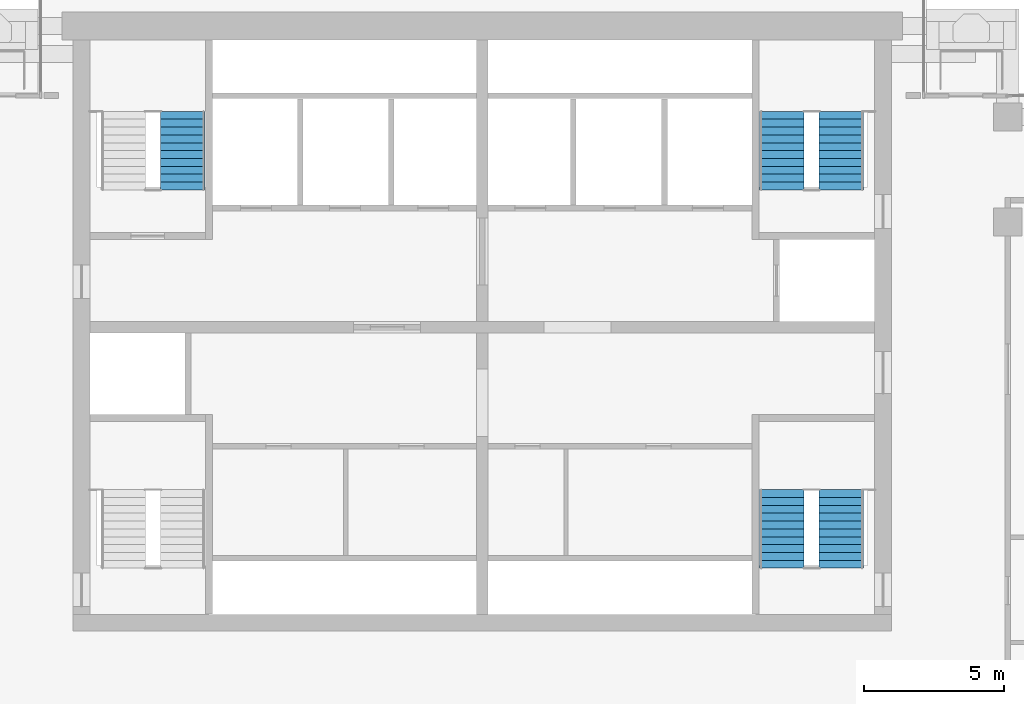
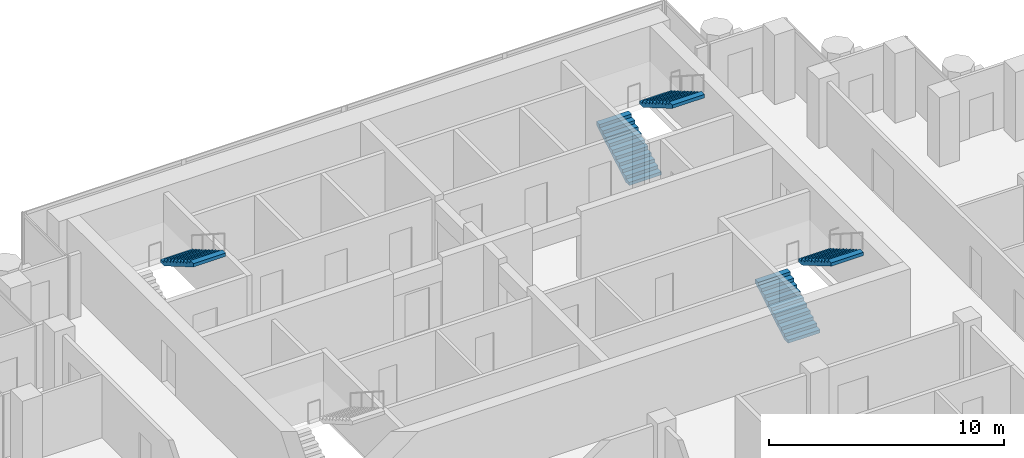
# One storey, part 15 of 19: 5 stair flights, 3 elements without a shape of their own.
"""IFC4 building model written with IfcOpenShell, lengths in metres."""

from ifc_helpers import new_model, si_unit, direction, frame, origin, place, context, subcontext, project, spatial, polyline, outline, extrude, material, type_object, element, aggregate, save


model = new_model("IFC4")

# Units and contexts
model_context = context("Model", 3, precision=1e-05, world=origin(), true_north=direction((0.0, 1.0)))
body_context = subcontext(model_context, "Body", "Model", "MODEL_VIEW")
ifc_project = project(units=[si_unit("LENGTHUNIT", "METRE"), si_unit("AREAUNIT", "SQUARE_METRE"), si_unit("VOLUMEUNIT", "CUBIC_METRE"), si_unit("PLANEANGLEUNIT", "RADIAN"), si_unit("MASSUNIT", "GRAM", prefix="KILO")], contexts=[model_context])

# Site, building, storey
site_placement = place(None, origin())
site = spatial("IfcSite", under=ifc_project, at=site_placement, CompositionType="ELEMENT")
building_placement = place(site_placement, origin())
building = spatial("IfcBuilding", under=site, at=building_placement, Name="Pilkhan Gate Tower", CompositionType="ELEMENT")
storey_placement = place(building_placement, frame((0.0, 0.0, 217.5)))
storey = spatial("IfcBuildingStorey", under=building, at=storey_placement, Name="L56", CompositionType="ELEMENT", Elevation=217.5)

# Stair, stair flights
ifc_material = material(Name="Concrete C40/50 precast", Category="concrete")
stair_type_1 = type_object("IfcStairType", Name="Stair ST1 164x280", PredefinedType="HALF_TURN_STAIR", material=ifc_material)
stair_1_placement = place(storey_placement, origin())
stair_1 = element("IfcStair", 1, at=stair_1_placement, inside=storey, type_object=stair_type_1, Name="Stair ST1 L56", PredefinedType="HALF_TURN_STAIR")
stair_flight_type_1 = type_object("IfcStairFlightType", Name="Stair flight ST1 164x280x11", PredefinedType="STRAIGHT", material=ifc_material)
stair_flight_1_placement = place(storey_placement, frame((85.68994140625, 73.89990234375, 0.0), z_axis=(0.0, 0.0, 1.0), x_axis=(0.0, 1.0, 0.0)))
stair_flight_1 = element("IfcStairFlight", 2, at=stair_flight_1_placement, type_object=stair_flight_type_1, Name="ST1 flight 1", NumberOfRisers=11, NumberOfTreads=10, PredefinedType="STRAIGHT", RiserHeight=0.163636364, TreadLength=0.28, context=body_context, shape_type="SweptSolid", body=[
    extrude(outline(polyline([(0.0, 0.0), (0.0, 0.16357421875), (0.280029296875, 0.16357421875), (0.280029296875, 0.327392578125), (0.56005859375, 0.327392578125), (0.56005859375, 0.490966796875), (0.840087890625, 0.490966796875), (0.840087890625, 0.654541015625), (1.1201171875, 0.654541015625), (1.1201171875, 0.818115234375), (1.39990234375, 0.818115234375), (1.39990234375, 0.98193359375), (1.679931640625, 0.98193359375), (1.679931640625, 1.1455078125), (1.9599609375, 1.1455078125), (1.9599609375, 1.30908203125), (2.239990234375, 1.30908203125), (2.239990234375, 1.47265625), (2.52001953125, 1.47265625), (2.52001953125, 1.636474609375), (2.800048828125, 1.636474609375), (2.800048828125, 1.800048828125), (2.800048828125, 1.462646484375), (0.297119140625, 0.0), (0.0, 0.0)])), frame((0.0, 0.7900390625, 0.0), z_axis=(0.0, -1.0, 0.0), x_axis=(1.0, 0.0, 0.0)), (0.0, 0.0, 1.0), 1.580078125),
])
stair_flight_2_placement = place(storey_placement, frame((87.81005859375, 76.699951171875, 1.800048828125), z_axis=(0.0, 0.0, 1.0), x_axis=(0.0, -1.0, 0.0)))
stair_flight_2 = element("IfcStairFlight", 3, at=stair_flight_2_placement, type_object=stair_flight_type_1, Name="ST1 flight 2", NumberOfRisers=11, NumberOfTreads=10, PredefinedType="STRAIGHT", RiserHeight=0.163636364, TreadLength=0.28, context=body_context, shape_type="SweptSolid", body=[
    extrude(outline(polyline([(0.0, 0.0), (0.0, 0.16357421875), (0.280029296875, 0.16357421875), (0.280029296875, 0.327392578125), (0.56005859375, 0.327392578125), (0.56005859375, 0.490966796875), (0.840087890625, 0.490966796875), (0.840087890625, 0.654541015625), (1.1201171875, 0.654541015625), (1.1201171875, 0.818115234375), (1.39990234375, 0.818115234375), (1.39990234375, 0.98193359375), (1.679931640625, 0.98193359375), (1.679931640625, 1.1455078125), (1.9599609375, 1.1455078125), (1.9599609375, 1.30908203125), (2.239990234375, 1.30908203125), (2.239990234375, 1.47265625), (2.52001953125, 1.47265625), (2.52001953125, 1.636474609375), (2.800048828125, 1.636474609375), (2.800048828125, 1.800048828125), (2.800048828125, 1.462646484375), (0.297119140625, 0.0), (0.0, 0.0)])), frame((0.0, 0.7900390625, 0.0), z_axis=(0.0, -1.0, 0.0), x_axis=(1.0, 0.0, 0.0)), (0.0, 0.0, 1.0), 1.580078125),
])
aggregate(stair_1, [stair_flight_1, stair_flight_2])

# Stair, stair flight
stair_type_2 = type_object("IfcStairType", Name="Stair ST3 164x280", PredefinedType="HALF_TURN_STAIR", material=ifc_material)
stair_2_placement = place(storey_placement, origin())
stair_2 = element("IfcStair", 4, at=stair_2_placement, inside=storey, type_object=stair_type_2, Name="Stair ST3 L56", PredefinedType="HALF_TURN_STAIR")
stair_flight_type_2 = type_object("IfcStairFlightType", Name="Stair flight ST3 164x280x11", PredefinedType="STRAIGHT", material=ifc_material)
stair_flight_3_placement = place(storey_placement, frame((64.31005859375, 90.199951171875, 1.800048828125), z_axis=(0.0, 0.0, 1.0), x_axis=(0.0, -1.0, 0.0)))
stair_flight_3 = element("IfcStairFlight", 5, at=stair_flight_3_placement, type_object=stair_flight_type_2, Name="ST3 flight 2", NumberOfRisers=11, NumberOfTreads=10, PredefinedType="STRAIGHT", RiserHeight=0.163636364, TreadLength=0.28, context=body_context, shape_type="SweptSolid", body=[
    extrude(outline(polyline([(0.0, 0.0), (0.0, 0.16357421875), (0.280029296875, 0.16357421875), (0.280029296875, 0.327392578125), (0.56005859375, 0.327392578125), (0.56005859375, 0.490966796875), (0.840087890625, 0.490966796875), (0.840087890625, 0.654541015625), (1.1201171875, 0.654541015625), (1.1201171875, 0.818115234375), (1.39990234375, 0.818115234375), (1.39990234375, 0.98193359375), (1.679931640625, 0.98193359375), (1.679931640625, 1.1455078125), (1.9599609375, 1.1455078125), (1.9599609375, 1.30908203125), (2.239990234375, 1.30908203125), (2.239990234375, 1.47265625), (2.52001953125, 1.47265625), (2.52001953125, 1.636474609375), (2.800048828125, 1.636474609375), (2.800048828125, 1.800048828125), (2.800048828125, 1.462646484375), (0.297119140625, 0.0), (0.0, 0.0)])), frame((0.0, 0.7900390625, 0.0), z_axis=(0.0, -1.0, 0.0), x_axis=(1.0, 0.0, 0.0)), (0.0, 0.0, 1.0), 1.580078125),
])
aggregate(stair_2, [stair_flight_3])

# Stair, stair flights
stair_type_3 = type_object("IfcStairType", Name="Stair ST4 164x280", PredefinedType="HALF_TURN_STAIR", material=ifc_material)
stair_3_placement = place(storey_placement, origin())
stair_3 = element("IfcStair", 6, at=stair_3_placement, inside=storey, type_object=stair_type_3, Name="Stair ST4 L56", PredefinedType="HALF_TURN_STAIR")
stair_flight_type_3 = type_object("IfcStairFlightType", Name="Stair flight ST4 164x280x11", PredefinedType="STRAIGHT", material=ifc_material)
stair_flight_4_placement = place(storey_placement, frame((85.68994140625, 87.39990234375, 0.0), z_axis=(0.0, 0.0, 1.0), x_axis=(0.0, 1.0, 0.0)))
stair_flight_4 = element("IfcStairFlight", 7, at=stair_flight_4_placement, type_object=stair_flight_type_3, Name="ST4 flight 1", NumberOfRisers=11, NumberOfTreads=10, PredefinedType="STRAIGHT", RiserHeight=0.163636364, TreadLength=0.28, context=body_context, shape_type="SweptSolid", body=[
    extrude(outline(polyline([(0.0, 0.0), (0.0, 0.16357421875), (0.280029296875, 0.16357421875), (0.280029296875, 0.327392578125), (0.56005859375, 0.327392578125), (0.56005859375, 0.490966796875), (0.840087890625, 0.490966796875), (0.840087890625, 0.654541015625), (1.1201171875, 0.654541015625), (1.1201171875, 0.818115234375), (1.39990234375, 0.818115234375), (1.39990234375, 0.98193359375), (1.679931640625, 0.98193359375), (1.679931640625, 1.1455078125), (1.9599609375, 1.1455078125), (1.9599609375, 1.30908203125), (2.239990234375, 1.30908203125), (2.239990234375, 1.47265625), (2.52001953125, 1.47265625), (2.52001953125, 1.636474609375), (2.800048828125, 1.636474609375), (2.800048828125, 1.800048828125), (2.800048828125, 1.462646484375), (0.297119140625, 0.0), (0.0, 0.0)])), frame((0.0, 0.7900390625, 0.0), z_axis=(0.0, -1.0, 0.0), x_axis=(1.0, 0.0, 0.0)), (0.0, 0.0, 1.0), 1.580078125),
])
stair_flight_5_placement = place(storey_placement, frame((87.81005859375, 90.199951171875, 1.800048828125), z_axis=(0.0, 0.0, 1.0), x_axis=(0.0, -1.0, 0.0)))
stair_flight_5 = element("IfcStairFlight", 8, at=stair_flight_5_placement, type_object=stair_flight_type_3, Name="ST4 flight 2", NumberOfRisers=11, NumberOfTreads=10, PredefinedType="STRAIGHT", RiserHeight=0.163636364, TreadLength=0.28, context=body_context, shape_type="SweptSolid", body=[
    extrude(outline(polyline([(0.0, 0.0), (0.0, 0.16357421875), (0.280029296875, 0.16357421875), (0.280029296875, 0.327392578125), (0.56005859375, 0.327392578125), (0.56005859375, 0.490966796875), (0.840087890625, 0.490966796875), (0.840087890625, 0.654541015625), (1.1201171875, 0.654541015625), (1.1201171875, 0.818115234375), (1.39990234375, 0.818115234375), (1.39990234375, 0.98193359375), (1.679931640625, 0.98193359375), (1.679931640625, 1.1455078125), (1.9599609375, 1.1455078125), (1.9599609375, 1.30908203125), (2.239990234375, 1.30908203125), (2.239990234375, 1.47265625), (2.52001953125, 1.47265625), (2.52001953125, 1.636474609375), (2.800048828125, 1.636474609375), (2.800048828125, 1.800048828125), (2.800048828125, 1.462646484375), (0.297119140625, 0.0), (0.0, 0.0)])), frame((0.0, 0.7900390625, 0.0), z_axis=(0.0, -1.0, 0.0), x_axis=(1.0, 0.0, 0.0)), (0.0, 0.0, 1.0), 1.580078125),
])
aggregate(stair_3, [stair_flight_4, stair_flight_5])

save(model, "model.ifc")
